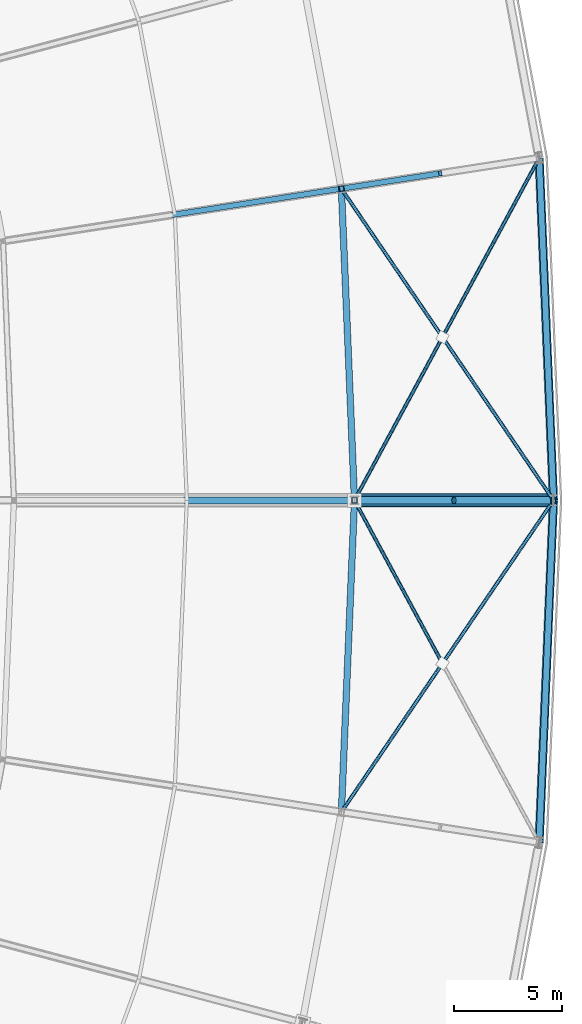
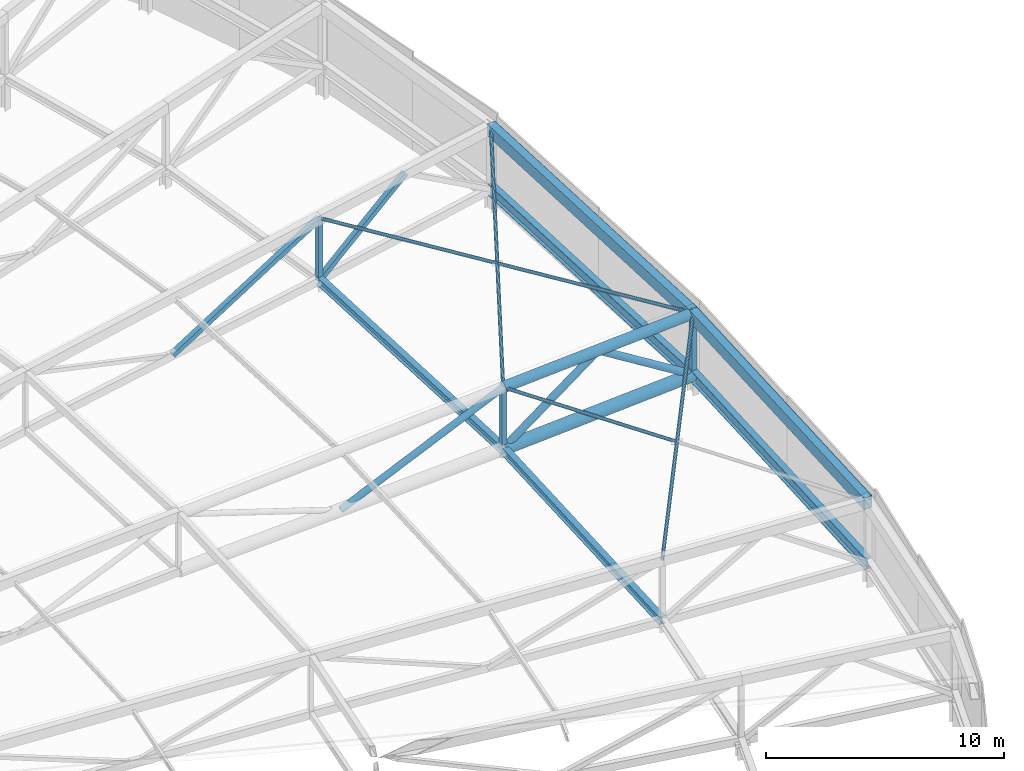
# One storey, part 85 of 143: 13 members, 8 beams.
"""IFC4 building model written with IfcOpenShell, lengths in metres."""

from ifc_helpers import new_model, si_unit, direction, frame, origin, origin_2d, place, context, subcontext, project, spatial, hollow_rectangle, hollow_circle, i_section, extrude, material, material_profile, profile_set, type_object, element, save


model = new_model("IFC4")

# Units and contexts
model_context = context("Model", 3, precision=1e-05, world=origin(), true_north=direction((0.0, 1.0)))
body_context = subcontext(model_context, "Body", "Model", "MODEL_VIEW")
ifc_project = project(units=[si_unit("LENGTHUNIT", "METRE"), si_unit("AREAUNIT", "SQUARE_METRE"), si_unit("VOLUMEUNIT", "CUBIC_METRE"), si_unit("PLANEANGLEUNIT", "RADIAN"), si_unit("MASSUNIT", "GRAM", prefix="KILO")], contexts=[model_context])

# Site, building, storey
site_placement = place(None, origin())
site = spatial("IfcSite", under=ifc_project, at=site_placement, CompositionType="ELEMENT")
building_placement = place(site_placement, origin())
building = spatial("IfcBuilding", under=site, at=building_placement, Name="Mphavela Belvedere Stadium", CompositionType="ELEMENT")
storey_placement = place(building_placement, frame((0.0, 0.0, 28.800048828125)))
storey = spatial("IfcBuildingStorey", under=building, at=storey_placement, Name="RF", CompositionType="ELEMENT", Elevation=28.800048828125)

# Beams
ifc_material_1 = material(Name="Steel S355", Category="steel")
ifc_material_profile_1 = material_profile(ifc_material_1, hollow_rectangle(XDim=0.39990234375, YDim=0.60009765625, WallThickness=0.02001953125, at=origin_2d()), Name="RHS 600x400x20")
ifc_profile_set_1 = profile_set([ifc_material_profile_1], Name="Steel S355")
beam_type_1 = type_object("IfcBeamType", Name="BM-RING-OUT", PredefinedType="BEAM", material=ifc_profile_set_1)
for number, where, z_axis, x_axis, name in (
    (1, (217.820068359375, 87.0, 4.005859375), (-0.04190173434, 0.999068501255, 0.010313799415), (-0.999121643181, -0.041903963155, 0.0), "Perimeter compression ring beam RB-OUT-01"),
    (2, (217.155517578125, 71.155029296875, 4.16943359375), (0.04190173434, 0.999068501255, -0.010313799415), (-0.999121643181, 0.041903963155, 0.0), "Perimeter compression ring beam RB-OUT-48"),
):
    element("IfcBeam", number, at=place(storey_placement, frame(where, z_axis=z_axis, x_axis=x_axis)), inside=storey, type_object=beam_type_1, Name=name, PredefinedType="BEAM", context=body_context, shape_type="SweptSolid", body=[
        extrude(hollow_rectangle(XDim=0.39990234375, YDim=0.60009765625, WallThickness=0.02001953125, at=origin_2d()), origin(), (0.0, 0.0, 1.0), 15.85986328125),
    ])
ifc_material_2 = material(Name="Steel S355", Category="steel")
ifc_material_profile_2 = material_profile(ifc_material_2, i_section(OverallWidth=0.300048828125, OverallDepth=0.39990234375, WebThickness=0.013427734375, FlangeThickness=0.02392578125, at=origin_2d()), Name="HEB 400")
ifc_profile_set_2 = profile_set([ifc_material_profile_2], Name="Steel S355")
beam_type_2 = type_object("IfcBeamType", Name="BM-STEEL-HEB400", PredefinedType="BEAM", material=ifc_profile_set_2)
for number, where, z_axis, x_axis, name in (
    (3, (208.60498046875, 87.0, 0.33154296875), (-0.041901221603, 0.999068513802, 0.010314667142), (-0.99912166467, -0.041903450766, 0.0), "Roof bottom-chord tie girder R3-01"),
    (4, (208.0, 72.5751953125, 0.48046875), (0.041901221603, 0.999068513802, -0.010314667142), (-0.99912166467, 0.041903450766, 0.0), "Roof bottom-chord tie girder R3-48"),
):
    element("IfcBeam", number, at=place(storey_placement, frame(where, z_axis=z_axis, x_axis=x_axis)), inside=storey, type_object=beam_type_2, Name=name, PredefinedType="BEAM", context=body_context, shape_type="SweptSolid", body=[
        extrude(i_section(OverallWidth=0.300048828125, OverallDepth=0.39990234375, WebThickness=0.013427734375, FlangeThickness=0.02392578125, at=origin_2d()), origin(), (0.0, 0.0, 1.0), 14.438232421875),
    ])
ifc_material_3 = material(Name="Steel S355", Category="steel")
ifc_material_profile_3 = material_profile(ifc_material_3, i_section(OverallWidth=0.300048828125, OverallDepth=0.60009765625, WebThickness=0.015380859375, FlangeThickness=0.030029296875, at=origin_2d()), Name="HEB 600")
ifc_profile_set_3 = profile_set([ifc_material_profile_3], Name="Steel S355")
beam_type_3 = type_object("IfcBeamType", Name="BM-STEEL-HEB600", PredefinedType="BEAM", material=ifc_profile_set_3)
for number, where, z_axis, x_axis, name in (
    (5, (217.820068359375, 87.0, 0.910888671875), (-0.04190173434, 0.999068501255, 0.010313799415), (-0.999121643181, -0.041903963155, 0.0), "Roof bottom-chord tie girder R4-01"),
    (6, (217.155517578125, 71.155029296875, 1.074462890625), (0.04190173434, 0.999068501255, -0.010313799415), (-0.999121643181, 0.041903963155, 0.0), "Roof bottom-chord tie girder R4-48"),
):
    element("IfcBeam", number, at=place(storey_placement, frame(where, z_axis=z_axis, x_axis=x_axis)), inside=storey, type_object=beam_type_3, Name=name, PredefinedType="BEAM", context=body_context, shape_type="SweptSolid", body=[
        extrude(i_section(OverallWidth=0.300048828125, OverallDepth=0.60009765625, WebThickness=0.015380859375, FlangeThickness=0.030029296875, at=origin_2d()), origin(), (0.0, 0.0, 1.0), 15.85986328125),
    ])
ifc_material_4 = material(Name="Steel S355", Category="steel")
ifc_material_profile_4 = material_profile(ifc_material_4, hollow_circle(Radius=0.304931640625, WallThickness=0.02490234375, at=origin_2d()), Name="CHS 610x25")
ifc_profile_set_4 = profile_set([ifc_material_profile_4], Name="Steel S355")
beam_type_4 = type_object("IfcBeamType", Name="BM-TRUSS-BC1", PredefinedType="BEAM", material=ifc_profile_set_4)
beam_1_placement = place(storey_placement, frame((217.820068359375, 87.0, 0.910888671875), z_axis=(-0.998029567682, 0.0, -0.062745374596), x_axis=(0.0, -1.0, 0.0)))
element("IfcBeam", 7, at=beam_1_placement, inside=storey, type_object=beam_type_4, Name="Radial roof truss RT-01 bottom chord 1", PredefinedType="BEAM", context=body_context, shape_type="SweptSolid", body=[
    extrude(hollow_circle(Radius=0.304931640625, WallThickness=0.02490234375, at=origin_2d()), origin(), (0.0, 0.0, 1.0), 9.2333984375),
])
ifc_material_5 = material(Name="Steel S355", Category="steel")
ifc_material_profile_5 = material_profile(ifc_material_5, hollow_circle(Radius=0.25390625, WallThickness=0.02490234375, at=origin_2d()), Name="CHS 508x25")
ifc_profile_set_5 = profile_set([ifc_material_profile_5], Name="Steel S355")
beam_type_5 = type_object("IfcBeamType", Name="BM-TRUSS-TC1", PredefinedType="BEAM", material=ifc_profile_set_5)
beam_2_placement = place(storey_placement, frame((217.820068359375, 87.0, 4.06103515625), z_axis=(-0.998027911532, 0.0, -0.062771711802), x_axis=(0.0, -1.0, 0.0)))
element("IfcBeam", 8, at=beam_2_placement, inside=storey, type_object=beam_type_5, Name="Radial roof truss RT-01 top chord 1", PredefinedType="BEAM", context=body_context, shape_type="SweptSolid", body=[
    extrude(hollow_circle(Radius=0.25390625, WallThickness=0.02490234375, at=origin_2d()), origin(), (0.0, 0.0, 1.0), 9.2333984375),
])

# Members
ifc_material_6 = material(Name="Steel S355", Category="steel")
ifc_material_profile_6 = material_profile(ifc_material_6, hollow_circle(Radius=0.161865234375, WallThickness=0.01611328125, at=origin_2d()), Name="CHS 323.9x16")
ifc_profile_set_6 = profile_set([ifc_material_profile_6], Name="Steel S355")
member_type_1 = type_object("IfcMemberType", Name="MEM-DIAG-324", PredefinedType="BRACE", material=ifc_profile_set_6)
member_1_placement = place(storey_placement, frame((208.60498046875, 87.0, 3.4814453125), z_axis=(-0.913049498399, 0.0, -0.407848762992), x_axis=(0.0, -1.0, 0.0)))
element("IfcMember", 9, at=member_1_placement, inside=storey, type_object=member_type_1, Name="Radial roof truss RT-01 web diagonal D3", PredefinedType="BRACE", context=body_context, shape_type="SweptSolid", body=[
    extrude(hollow_circle(Radius=0.161865234375, WallThickness=0.01611328125, at=origin_2d()), origin(), (0.0, 0.0, 1.0), 8.6318359375),
])
ifc_material_7 = material(Name="Steel S355", Category="steel")
ifc_material_profile_7 = material_profile(ifc_material_7, hollow_circle(Radius=0.177734375, WallThickness=0.01611328125, at=origin_2d()), Name="CHS 355.6x16")
ifc_profile_set_7 = profile_set([ifc_material_profile_7], Name="Steel S355")
member_type_2 = type_object("IfcMemberType", Name="MEM-DIAG-355", PredefinedType="BRACE", material=ifc_profile_set_7)
member_2_placement = place(storey_placement, frame((217.820068359375, 87.0, 0.910888671875), z_axis=(-0.849605387288, 0.0, 0.527418890344), x_axis=(0.0, -1.0, 0.0)))
element("IfcMember", 10, at=member_2_placement, inside=storey, type_object=member_type_2, Name="Radial roof truss RT-01 web diagonal D1", PredefinedType="BRACE", context=body_context, shape_type="SweptSolid", body=[
    extrude(hollow_circle(Radius=0.177734375, WallThickness=0.01611328125, at=origin_2d()), origin(), (0.0, 0.0, 1.0), 5.42333984375),
])
member_3_placement = place(storey_placement, frame((213.21240234375, 87.0, 3.771240234375), z_axis=(-0.801322831228, 0.0, -0.598232162419), x_axis=(0.0, -1.0, 0.0)))
element("IfcMember", 11, at=member_3_placement, inside=storey, type_object=member_type_2, Name="Radial roof truss RT-01 web diagonal D2", PredefinedType="BRACE", context=body_context, shape_type="SweptSolid", body=[
    extrude(hollow_circle(Radius=0.177734375, WallThickness=0.01611328125, at=origin_2d()), origin(), (0.0, 0.0, 1.0), 5.749755859375),
])
ifc_material_8 = material(Name="Steel S355", Category="steel")
ifc_material_profile_8 = material_profile(ifc_material_8, hollow_rectangle(XDim=0.25, YDim=0.25, WallThickness=0.012451171875, at=origin_2d()), Name="SHS 250x250x12.5")
ifc_profile_set_8 = profile_set([ifc_material_profile_8], Name="Steel S355")
member_type_3 = type_object("IfcMemberType", Name="MEM-POST-SHS250", PredefinedType="POST", material=ifc_profile_set_8)
member_4_placement = place(storey_placement, frame((217.820068359375, 87.0, 0.910888671875), z_axis=(0.0, 0.0, 1.0), x_axis=(1.0, 0.0, 0.0)))
element("IfcMember", 12, at=member_4_placement, inside=storey, type_object=member_type_3, Name="Radial roof truss RT-01 post P1", PredefinedType="POST", context=body_context, shape_type="SweptSolid", body=[
    extrude(hollow_rectangle(XDim=0.25, YDim=0.25, WallThickness=0.012451171875, at=origin_2d()), origin(), (0.0, 0.0, 1.0), 3.150146484375),
])
for number, where, z_axis, x_axis, name in (
    (13, (208.60498046875, 87.0, 0.33154296875), (0.0, 0.0, 1.0), (1.0, 0.0, 0.0), "Radial roof truss RT-01 post P2"),
    (14, (208.0, 101.4248046875, 0.48046875), (0.0, 0.0, 1.0), (0.98817491911, 0.153330783737, 0.0), "Radial roof truss RT-02 post P2"),
):
    element("IfcMember", number, at=place(storey_placement, frame(where, z_axis=z_axis, x_axis=x_axis)), inside=storey, type_object=member_type_3, Name=name, PredefinedType="POST", context=body_context, shape_type="SweptSolid", body=[
        extrude(hollow_rectangle(XDim=0.25, YDim=0.25, WallThickness=0.012451171875, at=origin_2d()), origin(), (0.0, 0.0, 1.0), 3.14990234375),
    ])
member_5_placement = place(storey_placement, frame((212.57763671875, 102.135009765625, 3.927490234375), z_axis=(-0.79277750949, -0.122996788006, -0.596972035013), x_axis=(0.153312485264, -0.988177758231, 0.0)))
element("IfcMember", 15, at=member_5_placement, inside=storey, type_object=member_type_3, Name="Radial roof truss RT-02 web diagonal D2", PredefinedType="POST", context=body_context, shape_type="SweptSolid", body=[
    extrude(hollow_rectangle(XDim=0.25, YDim=0.25, WallThickness=0.012451171875, at=origin_2d()), origin(), (0.0, 0.0, 1.0), 5.774169921875),
])
member_6_placement = place(storey_placement, frame((208.0, 101.4248046875, 3.63037109375), z_axis=(-0.902531841022, -0.139967991059, -0.407241006556), x_axis=(0.153251739391, -0.988187180839, 0.0)))
element("IfcMember", 16, at=member_6_placement, inside=storey, type_object=member_type_3, Name="Radial roof truss RT-02 web diagonal D3", PredefinedType="POST", context=body_context, shape_type="SweptSolid", body=[
    extrude(hollow_rectangle(XDim=0.25, YDim=0.25, WallThickness=0.012451171875, at=origin_2d()), origin(), (0.0, 0.0, 1.0), 8.676025390625),
])
ifc_material_9 = material(Name="Steel S355", Category="steel")
ifc_material_profile_9 = material_profile(ifc_material_9, hollow_circle(Radius=0.084228515625, WallThickness=0.010009765625, at=origin_2d()), Name="CHS 168.3x10")
ifc_profile_set_9 = profile_set([ifc_material_profile_9], Name="Steel S355")
member_type_4 = type_object("IfcMemberType", Name="MEM-ROOF-XBRACE", PredefinedType="BRACE", material=ifc_profile_set_9)
member_7_placement = place(storey_placement, frame((208.60498046875, 87.0, 3.4814453125), z_axis=(0.474497737922, 0.87929011475, 0.041240645126), x_axis=(-0.880038814194, 0.474901764064, 0.0)))
element("IfcMember", 17, at=member_7_placement, inside=storey, type_object=member_type_4, Name="Roof diaphragm continuous X-brace A 01", PredefinedType="BRACE", context=body_context, shape_type="SweptSolid", body=[
    extrude(hollow_circle(Radius=0.084228515625, WallThickness=0.010009765625, at=origin_2d()), origin(), (0.0, 0.0, 1.0), 18.020263671875),
])
member_8_placement = place(storey_placement, frame((217.820068359375, 87.0, 4.06103515625), z_axis=(-0.5625763144, 0.826376644587, -0.024688696961), x_axis=(-0.826628611183, -0.562747846885, 0.0)))
element("IfcMember", 18, at=member_8_placement, inside=storey, type_object=member_type_4, Name="Roof diaphragm split X-brace B1 01", PredefinedType="BRACE", context=body_context, shape_type="SweptSolid", body=[
    extrude(hollow_circle(Radius=0.084228515625, WallThickness=0.010009765625, at=origin_2d()), origin(), (0.0, 0.0, 1.0), 9.13720703125),
])
member_9_placement = place(storey_placement, frame((212.6796875, 94.55078125, 3.83544921875), z_axis=(-0.562578952836, 0.826375886689, -0.024653919052), x_axis=(-0.826627143362, -0.562750002982, 0.0)))
element("IfcMember", 19, at=member_9_placement, inside=storey, type_object=member_type_4, Name="Roof diaphragm split X-brace B2 01", PredefinedType="BRACE", context=body_context, shape_type="SweptSolid", body=[
    extrude(hollow_circle(Radius=0.084228515625, WallThickness=0.010009765625, at=origin_2d()), origin(), (0.0, 0.0, 1.0), 8.318359375),
])
member_10_placement = place(storey_placement, frame((208.0, 72.5751953125, 3.63037109375), z_axis=(0.562577571811, 0.826376283542, 0.024672123827), x_axis=(-0.826627911705, 0.562748874357, 0.0)))
element("IfcMember", 20, at=member_10_placement, inside=storey, type_object=member_type_4, Name="Roof diaphragm continuous X-brace A 48", PredefinedType="BRACE", context=body_context, shape_type="SweptSolid", body=[
    extrude(hollow_circle(Radius=0.084228515625, WallThickness=0.010009765625, at=origin_2d()), origin(), (0.0, 0.0, 1.0), 17.45556640625),
])
member_11_placement = place(storey_placement, frame((212.6796875, 79.44921875, 3.83544921875), z_axis=(-0.474500220877, 0.879289564487, -0.041223805888), x_axis=(-0.880037651395, -0.474903918837, 0.0)))
element("IfcMember", 21, at=member_11_placement, inside=storey, type_object=member_type_4, Name="Roof diaphragm split X-brace B2 48", PredefinedType="BRACE", context=body_context, shape_type="SweptSolid", body=[
    extrude(hollow_circle(Radius=0.084228515625, WallThickness=0.010009765625, at=origin_2d()), origin(), (0.0, 0.0, 1.0), 8.58740234375),
])

save(model, "model.ifc")
